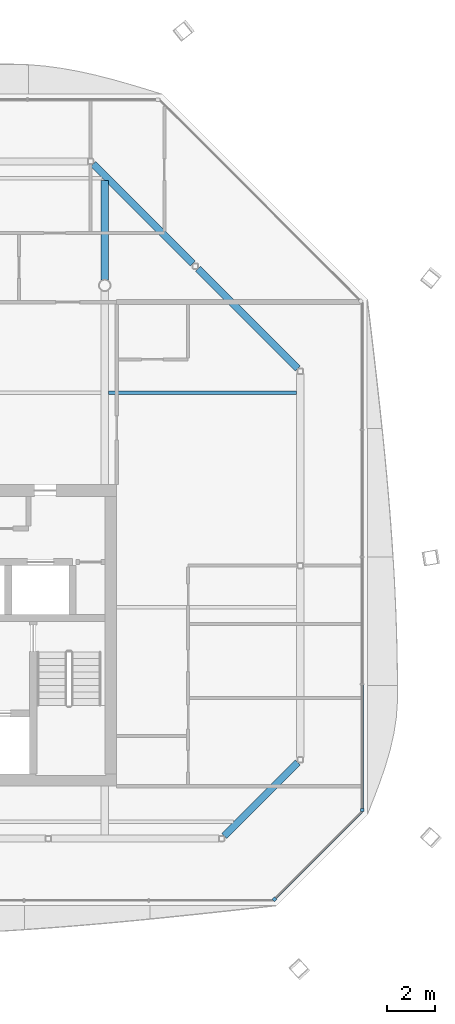
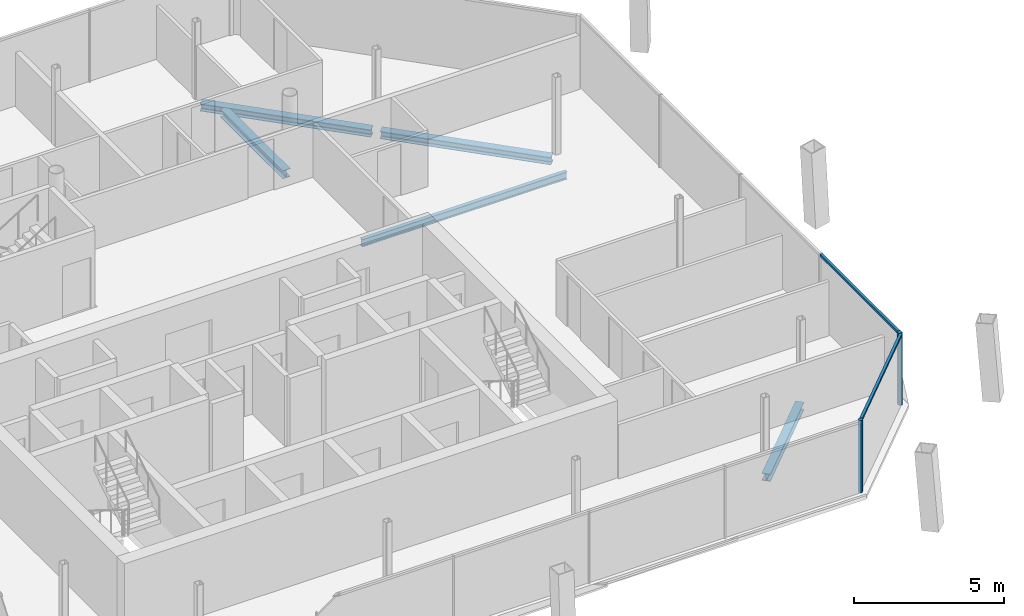
# One storey, part 6 of 16: 5 beams, 4 members, 2 elements without a shape of their own.
"""IFC4 building model written with IfcOpenShell, lengths in metres."""

from ifc_helpers import new_model, si_unit, direction, frame, origin, origin_2d, place, context, subcontext, project, spatial, rectangle, i_section, extrude, material, material_profile, profile_set, type_object, element, aggregate, save


model = new_model("IFC4")

# Units and contexts
model_context = context("Model", 3, precision=1e-05, world=origin(), true_north=direction((0.0, 1.0)))
body_context = subcontext(model_context, "Body", "Model", "MODEL_VIEW")
ifc_project = project(units=[si_unit("LENGTHUNIT", "METRE"), si_unit("AREAUNIT", "SQUARE_METRE"), si_unit("VOLUMEUNIT", "CUBIC_METRE"), si_unit("PLANEANGLEUNIT", "RADIAN"), si_unit("MASSUNIT", "GRAM", prefix="KILO")], contexts=[model_context])

# Site, building, storey
site_placement = place(None, origin())
site = spatial("IfcSite", under=ifc_project, at=site_placement, CompositionType="ELEMENT")
building_placement = place(site_placement, origin())
building = spatial("IfcBuilding", under=site, at=building_placement, Name="Tskaro Facet Tower", CompositionType="ELEMENT")
storey_placement = place(building_placement, frame((0.0, 0.0, 262.64990234375)))
storey = spatial("IfcBuildingStorey", under=building, at=storey_placement, Name="L69", CompositionType="ELEMENT", Elevation=262.64990234375)

# Curtain wall, member
ifc_material_1 = material(Name="Bronze anodised aluminium 6063-T6", Category="aluminium")
curtain_wall_type = type_object("IfcCurtainWallType", Name="Bronze residence curtain wall (FW3)", PredefinedType="NOTDEFINED", material=ifc_material_1)
curtain_wall_1_placement = place(storey_placement, origin())
curtain_wall_1 = element("IfcCurtainWall", 1, at=curtain_wall_1_placement, inside=storey, type_object=curtain_wall_type, Name="FW3 south-east facet L69", PredefinedType="NOTDEFINED")
ifc_material_profile_1 = material_profile(ifc_material_1, rectangle(XDim=0.139892578125, YDim=0.139892578125, at=origin_2d()), Name="Corner post 140x140")
ifc_profile_set_1 = profile_set([ifc_material_profile_1], Name="Bronze anodised aluminium 6063-T6")
member_type_1 = type_object("IfcMemberType", Name="FW3 bronze corner post 140x140", PredefinedType="MULLION", material=ifc_profile_set_1)
member_1_placement = place(storey_placement, frame((16.119384765625, -16.743408203125, 0.0), z_axis=(0.0, 0.0, 1.0), x_axis=(0.707106781187, 0.707106781187, 0.0)))
member_1 = element("IfcMember", 2, at=member_1_placement, type_object=member_type_1, Name="FW3 south-east corner post", PredefinedType="MULLION", context=body_context, shape_type="SweptSolid", body=[
    extrude(rectangle(XDim=0.139892578125, YDim=0.139892578125, at=origin_2d()), origin(), (0.0, 0.0, 1.0), 2.9501953125),
])

curtain_wall_2_placement = place(storey_placement, origin())
curtain_wall_2 = element("IfcCurtainWall", 3, at=curtain_wall_2_placement, inside=storey, type_object=curtain_wall_type, Name="FW3 east facet L69", PredefinedType="NOTDEFINED")
member_2_placement = place(storey_placement, frame((19.79296875, -13.0, 0.0), z_axis=(0.0, 0.0, 1.0), x_axis=(0.0, 1.0, 0.0)))
member_2 = element("IfcMember", 4, at=member_2_placement, type_object=member_type_1, Name="FW3 east corner post", PredefinedType="MULLION", context=body_context, shape_type="SweptSolid", body=[
    extrude(rectangle(XDim=0.139892578125, YDim=0.139892578125, at=origin_2d()), origin(), (0.0, 0.0, 1.0), 2.9501953125),
])

# Member
ifc_material_profile_2 = material_profile(ifc_material_1, rectangle(XDim=0.10009765625, YDim=0.090087890625, at=origin_2d()), Name="Transom 100x90")
ifc_profile_set_2 = profile_set([ifc_material_profile_2], Name="Bronze anodised aluminium 6063-T6")
member_type_2 = type_object("IfcMemberType", Name="FW3 bronze transom 100x90", PredefinedType="USERDEFINED", material=ifc_profile_set_2)
member_3_placement = place(storey_placement, frame((16.1689453125, -16.694091796875, 2.905029296875), z_axis=(0.707106781187, 0.707106781187, 0.0), x_axis=(-0.707106781187, 0.707106781187, 0.0)))
member_3 = element("IfcMember", 5, at=member_3_placement, type_object=member_type_2, Name="FW3 south-east transom 1.1", ObjectType="TRANSOM", PredefinedType="USERDEFINED", context=body_context, shape_type="SweptSolid", body=[
    extrude(rectangle(XDim=0.10009765625, YDim=0.090087890625, at=origin_2d()), origin(), (0.0, 0.0, 1.0), 5.125244140625),
])

aggregate(curtain_wall_1, [member_1, member_3])

member_4_placement = place(storey_placement, frame((19.79296875, -12.929931640625, 2.905029296875), z_axis=(0.0, 1.0, 0.0), x_axis=(-1.0, 0.0, 0.0)))
member_4 = element("IfcMember", 6, at=member_4_placement, type_object=member_type_2, Name="FW3 east transom 1.1", ObjectType="TRANSOM", PredefinedType="USERDEFINED", context=body_context, shape_type="SweptSolid", body=[
    extrude(rectangle(XDim=0.10009765625, YDim=0.090087890625, at=origin_2d()), origin(), (0.0, 0.0, 1.0), 5.174072265625),
])

aggregate(curtain_wall_2, [member_2, member_4])

# Beams
ifc_material_2 = material(Name="Steel S355J2", Category="steel")
ifc_material_profile_3 = material_profile(ifc_material_2, i_section(OverallWidth=0.300048828125, OverallDepth=0.300048828125, WebThickness=0.010986328125, FlangeThickness=0.01904296875, FilletRadius=0.027099609375, at=origin_2d()), Name="HE 300 B")
ifc_profile_set_3 = profile_set([ifc_material_profile_3], Name="Steel S355J2")
beam_type_1 = type_object("IfcBeamType", Name="HE 300 B ring beam", PredefinedType="BEAM", material=ifc_profile_set_3)
beam_1_placement = place(storey_placement, frame((14.013916015625, -14.089111328125, -0.289794921875), z_axis=(0.707106781187, 0.707106781187, 0.0), x_axis=(-0.707106781187, 0.707106781187, 0.0)))
element("IfcBeam", 7, at=beam_1_placement, inside=storey, type_object=beam_type_1, Name="HE 300 B EB4-6", PredefinedType="BEAM", context=body_context, shape_type="SweptSolid", body=[
    extrude(i_section(OverallWidth=0.300048828125, OverallDepth=0.300048828125, WebThickness=0.010986328125, FlangeThickness=0.01904296875, FilletRadius=0.027099609375, at=origin_2d()), origin(), (0.0, 0.0, 1.0), 4.348876953125),
])
for number, where, z_axis, x_axis, name in (
    (8, (17.089111328125, 5.513916015625, -0.289794921875), (-0.707024112481, 0.707189440228, 0.0), (-0.707189440228, -0.707024112481, 0.0), "HE 300 B EB7-6"),
    (9, (12.691162109375, 9.912841796875, -0.289794921875), (-0.707189440228, 0.707024112481, 0.0), (-0.707024112481, -0.707189440228, 0.0), "HE 300 B EB8-6"),
):
    element("IfcBeam", number, at=place(storey_placement, frame(where, z_axis=z_axis, x_axis=x_axis)), inside=storey, type_object=beam_type_1, Name=name, PredefinedType="BEAM", context=body_context, shape_type="SweptSolid", body=[
        extrude(i_section(OverallWidth=0.300048828125, OverallDepth=0.300048828125, WebThickness=0.010986328125, FlangeThickness=0.01904296875, FilletRadius=0.027099609375, at=origin_2d()), origin(), (0.0, 0.0, 1.0), 5.90673828125),
    ])
ifc_material_profile_4 = material_profile(ifc_material_2, i_section(OverallWidth=0.300048828125, OverallDepth=0.330078125, WebThickness=0.009521484375, FlangeThickness=0.0166015625, FilletRadius=0.027099609375, at=origin_2d()), Name="HE 340 A")
ifc_profile_set_4 = profile_set([ifc_material_profile_4], Name="Steel S355J2")
beam_type_2 = type_object("IfcBeamType", Name="HE 340 A girder", PredefinedType="BEAM", material=ifc_profile_set_4)
beam_2_placement = place(storey_placement, frame((9.0, 9.22412109375, -0.304931640625), z_axis=(0.0, 1.0, 0.0), x_axis=(-1.0, 0.0, 0.0)))
element("IfcBeam", 10, at=beam_2_placement, inside=storey, type_object=beam_type_2, Name="HE 340 A GB5-3-6", PredefinedType="BEAM", context=body_context, shape_type="SweptSolid", body=[
    extrude(i_section(OverallWidth=0.300048828125, OverallDepth=0.330078125, WebThickness=0.009521484375, FlangeThickness=0.0166015625, FilletRadius=0.027099609375, at=origin_2d()), origin(), (0.0, 0.0, 1.0), 4.1669921875),
])
ifc_material_profile_5 = material_profile(ifc_material_2, i_section(OverallWidth=0.14990234375, OverallDepth=0.300048828125, WebThickness=0.007080078125, FlangeThickness=0.0107421875, FilletRadius=0.014892578125, at=origin_2d()), Name="IPE 300")
ifc_profile_set_5 = profile_set([ifc_material_profile_5], Name="Steel S355J2")
beam_type_3 = type_object("IfcBeamType", Name="IPE 300 secondary beam", PredefinedType="BEAM", material=ifc_profile_set_5)
beam_3_placement = place(storey_placement, frame((9.14990234375, 4.5, -0.289794921875), z_axis=(1.0, 0.0, 0.0), x_axis=(0.0, 1.0, 0.0)))
element("IfcBeam", 11, at=beam_3_placement, inside=storey, type_object=beam_type_3, Name="IPE 300 SB4a-3-6", PredefinedType="BEAM", context=body_context, shape_type="SweptSolid", body=[
    extrude(i_section(OverallWidth=0.14990234375, OverallDepth=0.300048828125, WebThickness=0.007080078125, FlangeThickness=0.0107421875, FilletRadius=0.014892578125, at=origin_2d()), origin(), (0.0, 0.0, 1.0), 7.900146484375),
])

save(model, "model.ifc")
